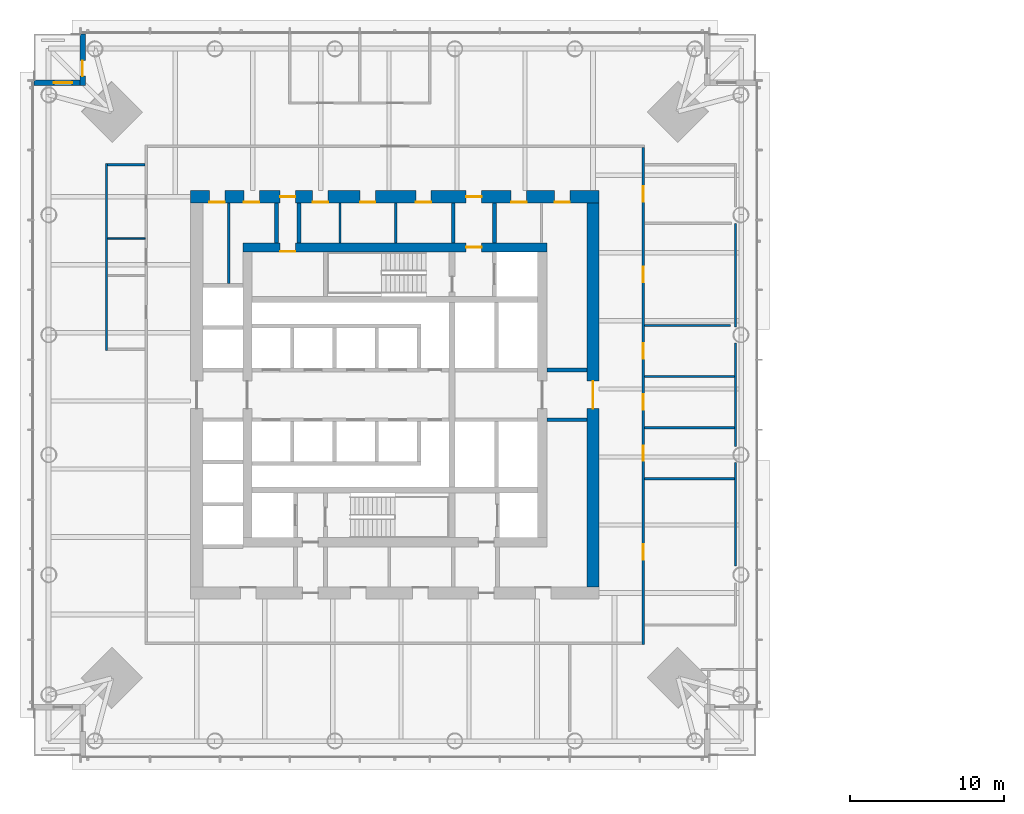
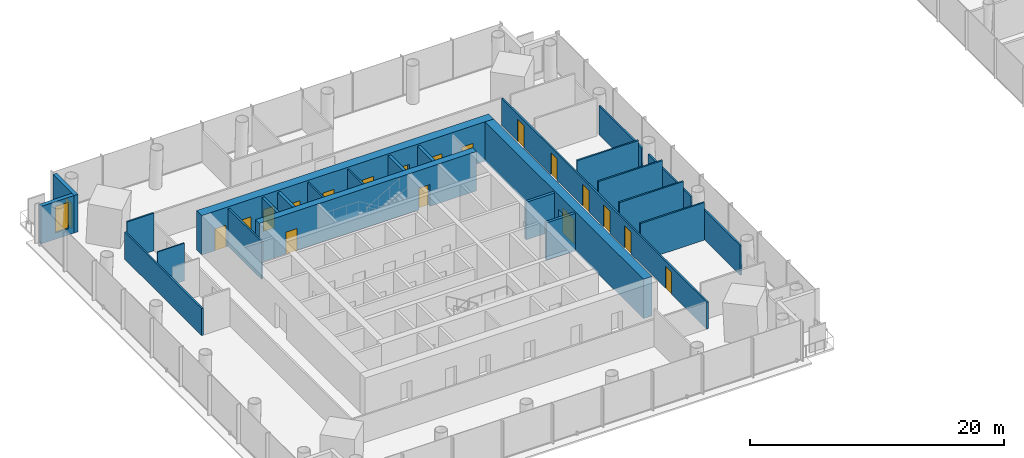
# One storey, part 11 of 26: 25 walls, 19 doors, 1 window, 20 openings.
"""IFC4 building model written with IfcOpenShell, lengths in metres."""

from ifc_helpers import new_model, si_unit, direction, frame, frame_2d, origin, place, context, subcontext, project, spatial, rectangle, extrude, material, layer, layer_set, type_object, element, fill, save


model = new_model("IFC4")

# Units and contexts
model_context = context("Model", 3, precision=1e-05, world=origin(), true_north=direction((0.0, 1.0)))
body_context = subcontext(model_context, "Body", "Model", "MODEL_VIEW")
ifc_project = project(units=[si_unit("LENGTHUNIT", "METRE"), si_unit("AREAUNIT", "SQUARE_METRE"), si_unit("VOLUMEUNIT", "CUBIC_METRE"), si_unit("PLANEANGLEUNIT", "RADIAN"), si_unit("MASSUNIT", "GRAM", prefix="KILO")], contexts=[model_context])

# Site, building, storey
site_placement = place(None, origin())
site = spatial("IfcSite", under=ifc_project, at=site_placement, CompositionType="ELEMENT")
building_placement = place(site_placement, origin())
building = spatial("IfcBuilding", under=site, at=building_placement, Name="Ostroluk Exchange", CompositionType="ELEMENT")
storey_placement = place(building_placement, frame((0.0, 0.0, 66.60009765625)))
storey = spatial("IfcBuildingStorey", under=building, at=storey_placement, Name="L16", CompositionType="ELEMENT", Elevation=66.60009765625)

# Walls
ifc_material_1 = material(Name="Concrete blockwork", Category="masonry")
ifc_layer_1 = layer(ifc_material_1, 0.10009765625)
ifc_layer_set_1 = layer_set([ifc_layer_1], Name="Blockwork WC wall 100")
wall_type_1 = type_object("IfcWallType", Name="Blockwork WC wall 100", PredefinedType="SOLIDWALL", material=ifc_layer_set_1)
wall_1_placement = place(storey_placement, frame((28.75, 56.175048828125, 0.0), z_axis=(0.0, 0.0, 1.0), x_axis=(-1.0, 0.0, 0.0)))
element("IfcWall", 1, at=wall_1_placement, inside=storey, type_object=wall_type_1, Name="Blockwork WC wall", PredefinedType="SOLIDWALL", context=body_context, shape_type="SweptSolid", body=[
    extrude(rectangle(XDim=2.449951171875, YDim=0.10009765625, at=frame_2d((1.22509765625, 0.0))), origin(), (0.0, 0.0, 1.0), 3.619873046875),
])
ifc_material_2 = material(Name="Concrete blockwork", Category="masonry")
ifc_layer_2 = layer(ifc_material_2, 0.14990234375)
ifc_layer_set_2 = layer_set([ifc_layer_2], Name="Blockwork plant room wall 150")
wall_type_2 = type_object("IfcWallType", Name="Blockwork plant room wall 150", PredefinedType="SOLIDWALL", material=ifc_layer_set_2)
wall_2_placement = place(storey_placement, frame((34.18310546875, 53.25, 0.0), z_axis=(0.0, 0.0, 1.0), x_axis=(0.0, 1.0, 0.0)))
element("IfcWall", 2, at=wall_2_placement, inside=storey, type_object=wall_type_2, Name="Core room wall", PredefinedType="SOLIDWALL", context=body_context, shape_type="SweptSolid", body=[
    extrude(rectangle(XDim=5.25, YDim=0.14990234375, at=frame_2d((2.625, 0.0))), origin(), (0.0, 0.0, 1.0), 3.619873046875),
])
for number, where, z_axis, x_axis, name in (
    (3, (41.42431640625, 55.89990234375, 0.0), (0.0, 0.0, 1.0), (0.0, 1.0, 0.0), "Core room wall"),
    (4, (45.05224609375, 55.89990234375, 0.0), (0.0, 0.0, 1.0), (0.0, 1.0, 0.0), "Core room wall"),
):
    element("IfcWall", number, at=place(storey_placement, frame(where, z_axis=z_axis, x_axis=x_axis)), inside=storey, type_object=wall_type_2, Name=name, PredefinedType="SOLIDWALL", context=body_context, shape_type="SweptSolid", body=[
        extrude(rectangle(XDim=2.60009765625, YDim=0.14990234375, at=frame_2d((1.300048828125, 0.0))), origin(), (0.0, 0.0, 1.0), 3.619873046875),
    ])
ifc_material_3 = material(Name="Concrete blockwork", Category="masonry")
ifc_layer_3 = layer(ifc_material_3, 0.25)
ifc_layer_set_3 = layer_set([ifc_layer_3], Name="Blockwork stair enclosure wall 250")
wall_type_3 = type_object("IfcWallType", Name="Blockwork stair enclosure wall 250", PredefinedType="SOLIDWALL", material=ifc_layer_set_3)
for number, where, z_axis, x_axis, name in (
    (5, (48.804931640625, 55.89990234375, 0.0), (0.0, 0.0, 1.0), (0.0, 1.0, 0.0), "Fire lobby enclosure wall"),
    (6, (51.47509765625, 55.89990234375, 0.0), (0.0, 0.0, 1.0), (0.0, 1.0, 0.0), "Fire lobby enclosure wall"),
    (7, (54.89990234375, 44.375, 0.0), (0.0, 0.0, 1.0), (1.0, 0.0, 0.0), "Lift lobby enclosure wall"),
    (8, (54.89990234375, 47.625, 0.0), (0.0, 0.0, 1.0), (1.0, 0.0, 0.0), "Lift lobby enclosure wall"),
    (9, (37.300048828125, 55.89990234375, 0.0), (0.0, 0.0, 1.0), (0.0, 1.0, 0.0), "Core corridor wall"),
    (10, (38.75, 55.89990234375, 0.0), (0.0, 0.0, 1.0), (0.0, 1.0, 0.0), "Core corridor wall"),
):
    element("IfcWall", number, at=place(storey_placement, frame(where, z_axis=z_axis, x_axis=x_axis)), inside=storey, type_object=wall_type_3, Name=name, PredefinedType="SOLIDWALL", context=body_context, shape_type="SweptSolid", body=[
        extrude(rectangle(XDim=2.60009765625, YDim=0.25, at=frame_2d((1.300048828125, 0.0))), origin(), (0.0, 0.0, 1.0), 3.619873046875),
    ])

# Wall, openings, doors
ifc_material_4 = material(Name="Concrete C50/60", Category="concrete")
ifc_layer_4 = layer(ifc_material_4, 0.60009765625)
ifc_layer_set_4 = layer_set([ifc_layer_4], Name="Core wall 600 C50/60")
wall_type_4 = type_object("IfcWallType", Name="Core wall 600 C50/60", PredefinedType="SHEAR", material=ifc_layer_set_4)
wall_3_placement = place(storey_placement, frame((35.10009765625, 55.60009765625, 0.0), z_axis=(0.0, 0.0, 1.0), x_axis=(1.0, 0.0, 0.0)))
wall_3 = element("IfcWall", 11, at=wall_3_placement, inside=storey, type_object=wall_type_4, Name="T1 core wall N", PredefinedType="SHEAR", context=body_context, shape_type="SweptSolid", body=[
    extrude(rectangle(XDim=19.7998046875, YDim=0.60009765625, at=frame_2d((9.89990234375, 0.0))), origin(), (0.0, 0.0, 1.0), 3.7998046875),
])
opening_1_placement = place(wall_3_placement, frame((14.5400390625, 0.0, 0.0)))
opening_1 = element("IfcOpeningElement", 12, at=opening_1_placement, cuts=wall_3, Name="Opening FD60", PredefinedType="OPENING", context=body_context, shape_type="SweptSolid", body=[
    extrude(rectangle(XDim=1.0, YDim=2.10009765625, at=frame_2d((0.5, 1.050048828125))), frame((0.0, 0.31005859375, 0.0), z_axis=(0.0, -1.0, 0.0), x_axis=(1.0, 0.0, 0.0)), (0.0, 0.0, 1.0), 0.6201171875),
])
opening_2_placement = place(wall_3_placement, frame((2.425048828125, 0.0, 0.0)))
opening_2 = element("IfcOpeningElement", 13, at=opening_2_placement, cuts=wall_3, Name="Opening FD60", PredefinedType="OPENING", context=body_context, shape_type="SweptSolid", body=[
    extrude(rectangle(XDim=1.0, YDim=2.10009765625, at=frame_2d((0.5, 1.050048828125))), frame((0.0, 0.31005859375, 0.0), z_axis=(0.0, -1.0, 0.0), x_axis=(1.0, 0.0, 0.0)), (0.0, 0.0, 1.0), 0.6201171875),
])
ifc_material_5 = material(Name="Steel", Category="steel")
door_type_1 = type_object("IfcDoorType", Name="Fire door EI 60 1000 x 2100", OperationType="SINGLE_SWING_LEFT", PredefinedType="DOOR", material=ifc_material_5)
door_1_placement = place(opening_1_placement, origin())
door_1 = element("IfcDoor", 14, at=door_1_placement, inside=storey, type_object=door_type_1, Name="Firefighting lobby door", OperationType="SINGLE_SWING_RIGHT", OverallHeight=2.10009765625, OverallWidth=1.0, PredefinedType="DOOR", context=body_context, shape_type="SweptSolid", body=[
    extrude(rectangle(XDim=1.0, YDim=2.10009765625, at=frame_2d((0.5, 1.050048828125))), frame((0.0, 0.02490234375, 0.0), z_axis=(0.0, -1.0, 0.0), x_axis=(1.0, 0.0, 0.0)), (0.0, 0.0, 1.0), 0.050048828125),
])
fill(opening_1, door_1)
door_2_placement = place(opening_2_placement, origin())
door_2 = element("IfcDoor", 15, at=door_2_placement, inside=storey, type_object=door_type_1, Name="Tea point door", OperationType="SINGLE_SWING_LEFT", OverallHeight=2.10009765625, OverallWidth=1.0, PredefinedType="DOOR", context=body_context, shape_type="SweptSolid", body=[
    extrude(rectangle(XDim=1.0, YDim=2.10009765625, at=frame_2d((0.5, 1.050048828125))), frame((0.0, -0.23974609375, 0.0), z_axis=(0.0, -1.0, 0.0), x_axis=(1.0, 0.0, 0.0)), (0.0, 0.0, 1.0), 0.050048828125),
])
fill(opening_2, door_2)

ifc_material_6 = material(Name="Concrete C50/60", Category="concrete")
ifc_layer_5 = layer(ifc_material_6, 0.800048828125)
ifc_layer_set_5 = layer_set([ifc_layer_5], Name="Core wall 800 C50/60")
wall_type_5 = type_object("IfcWallType", Name="Core wall 800 C50/60", PredefinedType="SHEAR", material=ifc_layer_set_5)
wall_4_placement = place(storey_placement, frame((31.699951171875, 58.89990234375, 0.0), z_axis=(0.0, 0.0, 1.0), x_axis=(1.0, 0.0, 0.0)))
wall_4 = element("IfcWall", 16, at=wall_4_placement, inside=storey, type_object=wall_type_5, Name="T1 core wall RN", PredefinedType="SHEAR", context=body_context, shape_type="SweptSolid", body=[
    extrude(rectangle(XDim=26.60009765625, YDim=0.800048828125, at=frame_2d((13.300048828125, 0.0))), origin(), (0.0, 0.0, 1.0), 3.7998046875),
])
opening_3_placement = place(wall_4_placement, frame((17.93994140625, 0.0, 0.0)))
opening_3 = element("IfcOpeningElement", 17, at=opening_3_placement, cuts=wall_4, Name="Opening FD60", PredefinedType="OPENING", context=body_context, shape_type="SweptSolid", body=[
    extrude(rectangle(XDim=1.0, YDim=2.10009765625, at=frame_2d((0.5, 1.050048828125))), frame((0.0, 0.409912109375, 0.0), z_axis=(0.0, -1.0, 0.0), x_axis=(1.0, 0.0, 0.0)), (0.0, 0.0, 1.0), 0.820068359375),
])
opening_4_placement = place(wall_4_placement, frame((5.824951171875, 0.0, 0.0)))
opening_4 = element("IfcOpeningElement", 18, at=opening_4_placement, cuts=wall_4, Name="Opening FD60", PredefinedType="OPENING", context=body_context, shape_type="SweptSolid", body=[
    extrude(rectangle(XDim=1.0, YDim=2.10009765625, at=frame_2d((0.5, 1.050048828125))), frame((0.0, 0.409912109375, 0.0), z_axis=(0.0, -1.0, 0.0), x_axis=(1.0, 0.0, 0.0)), (0.0, 0.0, 1.0), 0.820068359375),
])
opening_5_placement = place(wall_4_placement, frame((1.23291015625, 0.0, 0.0)))
opening_5 = element("IfcOpeningElement", 19, at=opening_5_placement, cuts=wall_4, Name="Opening FD60", PredefinedType="OPENING", context=body_context, shape_type="SweptSolid", body=[
    extrude(rectangle(XDim=1.0, YDim=2.10009765625, at=frame_2d((0.5, 1.050048828125))), frame((0.0, 0.409912109375, 0.0), z_axis=(0.0, -1.0, 0.0), x_axis=(1.0, 0.0, 0.0)), (0.0, 0.0, 1.0), 0.820068359375),
])
opening_6_placement = place(wall_4_placement, frame((3.47900390625, 0.0, 0.0)))
opening_6 = element("IfcOpeningElement", 20, at=opening_6_placement, cuts=wall_4, Name="Opening FD60", PredefinedType="OPENING", context=body_context, shape_type="SweptSolid", body=[
    extrude(rectangle(XDim=1.0, YDim=2.10009765625, at=frame_2d((0.5, 1.050048828125))), frame((0.0, 0.409912109375, 0.0), z_axis=(0.0, -1.0, 0.0), x_axis=(1.0, 0.0, 0.0)), (0.0, 0.0, 1.0), 0.820068359375),
])
opening_7_placement = place(wall_4_placement, frame((7.94970703125, 0.0, 0.0)))
opening_7 = element("IfcOpeningElement", 21, at=opening_7_placement, cuts=wall_4, Name="Opening FD60", PredefinedType="OPENING", context=body_context, shape_type="SweptSolid", body=[
    extrude(rectangle(XDim=1.0, YDim=2.10009765625, at=frame_2d((0.5, 1.050048828125))), frame((0.0, 0.409912109375, 0.0), z_axis=(0.0, -1.0, 0.0), x_axis=(1.0, 0.0, 0.0)), (0.0, 0.0, 1.0), 0.820068359375),
])
opening_8_placement = place(wall_4_placement, frame((11.038330078125, 0.0, 0.0)))
opening_8 = element("IfcOpeningElement", 22, at=opening_8_placement, cuts=wall_4, Name="Opening FD60", PredefinedType="OPENING", context=body_context, shape_type="SweptSolid", body=[
    extrude(rectangle(XDim=1.0, YDim=2.10009765625, at=frame_2d((0.5, 1.050048828125))), frame((0.0, 0.409912109375, 0.0), z_axis=(0.0, -1.0, 0.0), x_axis=(1.0, 0.0, 0.0)), (0.0, 0.0, 1.0), 0.820068359375),
])
opening_9_placement = place(wall_4_placement, frame((14.666015625, 0.0, 0.0)))
opening_9 = element("IfcOpeningElement", 23, at=opening_9_placement, cuts=wall_4, Name="Opening FD60", PredefinedType="OPENING", context=body_context, shape_type="SweptSolid", body=[
    extrude(rectangle(XDim=1.0, YDim=2.10009765625, at=frame_2d((0.5, 1.050048828125))), frame((0.0, 0.409912109375, 0.0), z_axis=(0.0, -1.0, 0.0), x_axis=(1.0, 0.0, 0.0)), (0.0, 0.0, 1.0), 0.820068359375),
])
opening_10_placement = place(wall_4_placement, frame((20.875, 0.0, 0.0)))
opening_10 = element("IfcOpeningElement", 24, at=opening_10_placement, cuts=wall_4, Name="Opening FD60", PredefinedType="OPENING", context=body_context, shape_type="SweptSolid", body=[
    extrude(rectangle(XDim=1.0, YDim=2.10009765625, at=frame_2d((0.5, 1.050048828125))), frame((0.0, 0.409912109375, 0.0), z_axis=(0.0, -1.0, 0.0), x_axis=(1.0, 0.0, 0.0)), (0.0, 0.0, 1.0), 0.820068359375),
])
opening_11_placement = place(wall_4_placement, frame((23.699951171875, 0.0, 0.0)))
opening_11 = element("IfcOpeningElement", 25, at=opening_11_placement, cuts=wall_4, Name="Opening FD60", PredefinedType="OPENING", context=body_context, shape_type="SweptSolid", body=[
    extrude(rectangle(XDim=1.0, YDim=2.10009765625, at=frame_2d((0.5, 1.050048828125))), frame((0.0, 0.409912109375, 0.0), z_axis=(0.0, -1.0, 0.0), x_axis=(1.0, 0.0, 0.0)), (0.0, 0.0, 1.0), 0.820068359375),
])
door_3_placement = place(opening_3_placement, origin())
door_3 = element("IfcDoor", 26, at=door_3_placement, inside=storey, type_object=door_type_1, Name="Firefighting lobby door", OperationType="SINGLE_SWING_RIGHT", OverallHeight=2.10009765625, OverallWidth=1.0, PredefinedType="DOOR", context=body_context, shape_type="SweptSolid", body=[
    extrude(rectangle(XDim=1.0, YDim=2.10009765625, at=frame_2d((0.5, 1.050048828125))), frame((0.0, 0.02490234375, 0.0), z_axis=(0.0, -1.0, 0.0), x_axis=(1.0, 0.0, 0.0)), (0.0, 0.0, 1.0), 0.050048828125),
])
fill(opening_3, door_3)
door_4_placement = place(opening_4_placement, origin())
door_4 = element("IfcDoor", 27, at=door_4_placement, inside=storey, type_object=door_type_1, Name="Core corridor door", OperationType="SINGLE_SWING_LEFT", OverallHeight=2.10009765625, OverallWidth=1.0, PredefinedType="DOOR", context=body_context, shape_type="SweptSolid", body=[
    extrude(rectangle(XDim=1.0, YDim=2.10009765625, at=frame_2d((0.5, 1.050048828125))), frame((0.0, 0.02490234375, 0.0), z_axis=(0.0, -1.0, 0.0), x_axis=(1.0, 0.0, 0.0)), (0.0, 0.0, 1.0), 0.050048828125),
])
fill(opening_4, door_4)
door_5_placement = place(opening_5_placement, origin())
door_5 = element("IfcDoor", 28, at=door_5_placement, inside=storey, type_object=door_type_1, Name="Tenant IT room door", OperationType="SINGLE_SWING_LEFT", OverallHeight=2.10009765625, OverallWidth=1.0, PredefinedType="DOOR", context=body_context, shape_type="SweptSolid", body=[
    extrude(rectangle(XDim=1.0, YDim=2.10009765625, at=frame_2d((0.5, 1.050048828125))), frame((0.0, -0.33984375, 0.0), z_axis=(0.0, -1.0, 0.0), x_axis=(1.0, 0.0, 0.0)), (0.0, 0.0, 1.0), 0.050048828125),
])
fill(opening_5, door_5)
door_6_placement = place(opening_6_placement, origin())
door_6 = element("IfcDoor", 29, at=door_6_placement, inside=storey, type_object=door_type_1, Name="First aid room door", OperationType="SINGLE_SWING_LEFT", OverallHeight=2.10009765625, OverallWidth=1.0, PredefinedType="DOOR", context=body_context, shape_type="SweptSolid", body=[
    extrude(rectangle(XDim=1.0, YDim=2.10009765625, at=frame_2d((0.5, 1.050048828125))), frame((0.0, -0.33984375, 0.0), z_axis=(0.0, -1.0, 0.0), x_axis=(1.0, 0.0, 0.0)), (0.0, 0.0, 1.0), 0.050048828125),
])
fill(opening_6, door_6)
door_7_placement = place(opening_7_placement, origin())
door_7 = element("IfcDoor", 30, at=door_7_placement, inside=storey, type_object=door_type_1, Name="Print and post room door", OperationType="SINGLE_SWING_LEFT", OverallHeight=2.10009765625, OverallWidth=1.0, PredefinedType="DOOR", context=body_context, shape_type="SweptSolid", body=[
    extrude(rectangle(XDim=1.0, YDim=2.10009765625, at=frame_2d((0.5, 1.050048828125))), frame((0.0, -0.33984375, 0.0), z_axis=(0.0, -1.0, 0.0), x_axis=(1.0, 0.0, 0.0)), (0.0, 0.0, 1.0), 0.050048828125),
])
fill(opening_7, door_7)
door_8_placement = place(opening_8_placement, origin())
door_8 = element("IfcDoor", 31, at=door_8_placement, inside=storey, type_object=door_type_1, Name="Archive door", OperationType="SINGLE_SWING_LEFT", OverallHeight=2.10009765625, OverallWidth=1.0, PredefinedType="DOOR", context=body_context, shape_type="SweptSolid", body=[
    extrude(rectangle(XDim=1.0, YDim=2.10009765625, at=frame_2d((0.5, 1.050048828125))), frame((0.0, -0.33984375, 0.0), z_axis=(0.0, -1.0, 0.0), x_axis=(1.0, 0.0, 0.0)), (0.0, 0.0, 1.0), 0.050048828125),
])
fill(opening_8, door_8)
door_9_placement = place(opening_9_placement, origin())
door_9 = element("IfcDoor", 32, at=door_9_placement, inside=storey, type_object=door_type_1, Name="Tenant IT room door", OperationType="SINGLE_SWING_RIGHT", OverallHeight=2.10009765625, OverallWidth=1.0, PredefinedType="DOOR", context=body_context, shape_type="SweptSolid", body=[
    extrude(rectangle(XDim=1.0, YDim=2.10009765625, at=frame_2d((0.5, 1.050048828125))), frame((0.0, -0.33984375, 0.0), z_axis=(0.0, -1.0, 0.0), x_axis=(1.0, 0.0, 0.0)), (0.0, 0.0, 1.0), 0.050048828125),
])
fill(opening_9, door_9)
door_10_placement = place(opening_10_placement, origin())
door_10 = element("IfcDoor", 33, at=door_10_placement, inside=storey, type_object=door_type_1, Name="First aid room door", OperationType="SINGLE_SWING_RIGHT", OverallHeight=2.10009765625, OverallWidth=1.0, PredefinedType="DOOR", context=body_context, shape_type="SweptSolid", body=[
    extrude(rectangle(XDim=1.0, YDim=2.10009765625, at=frame_2d((0.5, 1.050048828125))), frame((0.0, -0.33984375, 0.0), z_axis=(0.0, -1.0, 0.0), x_axis=(1.0, 0.0, 0.0)), (0.0, 0.0, 1.0), 0.050048828125),
])
fill(opening_10, door_10)
door_11_placement = place(opening_11_placement, origin())
door_11 = element("IfcDoor", 34, at=door_11_placement, inside=storey, type_object=door_type_1, Name="Tea point door", OperationType="SINGLE_SWING_RIGHT", OverallHeight=2.10009765625, OverallWidth=1.0, PredefinedType="DOOR", context=body_context, shape_type="SweptSolid", body=[
    extrude(rectangle(XDim=1.0, YDim=2.10009765625, at=frame_2d((0.5, 1.050048828125))), frame((0.0, -0.33984375, 0.0), z_axis=(0.0, -1.0, 0.0), x_axis=(1.0, 0.0, 0.0)), (0.0, 0.0, 1.0), 0.050048828125),
])
fill(opening_11, door_11)

# Wall, opening, door
wall_5_placement = place(storey_placement, frame((57.89990234375, 33.5, 0.0), z_axis=(0.0, 0.0, 1.0), x_axis=(0.0, 1.0, 0.0)))
wall_5 = element("IfcWall", 35, at=wall_5_placement, inside=storey, type_object=wall_type_5, Name="T1 core wall RE", PredefinedType="SHEAR", context=body_context, shape_type="SweptSolid", body=[
    extrude(rectangle(XDim=25.0, YDim=0.800048828125, at=frame_2d((12.5, 0.0))), origin(), (0.0, 0.0, 1.0), 3.7998046875),
])
opening_12_placement = place(wall_5_placement, frame((11.60009765625, 0.0, 0.0)))
opening_12 = element("IfcOpeningElement", 36, at=opening_12_placement, cuts=wall_5, Name="Opening FD30D", PredefinedType="OPENING", context=body_context, shape_type="SweptSolid", body=[
    extrude(rectangle(XDim=1.800048828125, YDim=2.39990234375, at=frame_2d((0.89990234375, 1.199951171875))), frame((0.0, 0.409912109375, 0.0), z_axis=(0.0, -1.0, 0.0), x_axis=(1.0, 0.0, 0.0)), (0.0, 0.0, 1.0), 0.820068359375),
])
ifc_material_7 = material(Name="Timber", Category="wood")
door_type_2 = type_object("IfcDoorType", Name="Lobby double door EI 30 1800 x 2400", OperationType="DOUBLE_DOOR_SINGLE_SWING", PredefinedType="DOOR", material=ifc_material_7)
door_12_placement = place(opening_12_placement, origin())
door_12 = element("IfcDoor", 37, at=door_12_placement, inside=storey, type_object=door_type_2, Name="Lift lobby doors", OperationType="DOUBLE_DOOR_SINGLE_SWING", OverallHeight=2.39990234375, OverallWidth=1.800048828125, PredefinedType="DOOR", context=body_context, shape_type="SweptSolid", body=[
    extrude(rectangle(XDim=1.800048828125, YDim=2.39990234375, at=frame_2d((0.89990234375, 1.199951171875))), frame((0.0, 0.02490234375, 0.0), z_axis=(0.0, -1.0, 0.0), x_axis=(1.0, 0.0, 0.0)), (0.0, 0.0, 1.0), 0.050048828125),
])
fill(opening_12, door_12)

ifc_material_8 = material(Name="Limestone", Category="masonry")
ifc_layer_6 = layer(ifc_material_8, 0.35009765625)
ifc_layer_set_6 = layer_set([ifc_layer_6], Name="Limestone facade wall 350")
wall_type_6 = type_object("IfcWallType", Name="Limestone facade wall 350", PredefinedType="SOLIDWALL", material=ifc_layer_set_6)
wall_6_placement = place(storey_placement, frame((24.675048828125, 69.5, 0.0), z_axis=(0.0, 0.0, 1.0), x_axis=(0.0, -1.0, 0.0)))
wall_6 = element("IfcWall", 38, at=wall_6_placement, inside=storey, type_object=wall_type_6, Name="Office tower NW corner wall L16 a", PredefinedType="SOLIDWALL", context=body_context, shape_type="SweptSolid", body=[
    extrude(rectangle(XDim=3.35009765625, YDim=0.35009765625, at=frame_2d((1.675048828125, 0.0))), origin(), (0.0, 0.0, 1.0), 3.619873046875),
])
opening_13_placement = place(wall_6_placement, frame((1.75, 0.0, 0.0)))
opening_13 = element("IfcOpeningElement", 39, at=opening_13_placement, cuts=wall_6, Name="Opening D-B1", PredefinedType="OPENING", context=body_context, shape_type="SweptSolid", body=[
    extrude(rectangle(XDim=1.0, YDim=2.39990234375, at=frame_2d((0.5, 1.199951171875))), frame((0.0, 0.18505859375, 0.0), z_axis=(0.0, -1.0, 0.0), x_axis=(1.0, 0.0, 0.0)), (0.0, 0.0, 1.0), 0.3701171875),
])
ifc_material_9 = material(Name="Bronze framed glazed door", Category="aluminium")
door_type_3 = type_object("IfcDoorType", Name="Balcony door 1000 x 2400", OperationType="SINGLE_SWING_LEFT", PredefinedType="DOOR", material=ifc_material_9)
door_13_placement = place(opening_13_placement, origin())
door_13 = element("IfcDoor", 40, at=door_13_placement, inside=storey, type_object=door_type_3, Name="Office tower NW balcony door L16", OperationType="SINGLE_SWING_RIGHT", OverallHeight=2.39990234375, OverallWidth=1.0, PredefinedType="DOOR", context=body_context, shape_type="SweptSolid", body=[
    extrude(rectangle(XDim=1.0, YDim=2.39990234375, at=frame_2d((0.5, 1.199951171875))), frame((0.0, 0.02490234375, 0.0), z_axis=(0.0, -1.0, 0.0), x_axis=(1.0, 0.0, 0.0)), (0.0, 0.0, 1.0), 0.050048828125),
])
fill(opening_13, door_13)

# Wall, opening, window
wall_7_placement = place(storey_placement, frame((24.5, 66.324951171875, 0.0), z_axis=(0.0, 0.0, 1.0), x_axis=(-1.0, 0.0, 0.0)))
wall_7 = element("IfcWall", 41, at=wall_7_placement, inside=storey, type_object=wall_type_6, Name="Office tower NW corner wall L16 b", PredefinedType="SOLIDWALL", context=body_context, shape_type="SweptSolid", body=[
    extrude(rectangle(XDim=3.0, YDim=0.35009765625, at=frame_2d((1.5, 0.0))), origin(), (0.0, 0.0, 1.0), 3.619873046875),
])
opening_14_placement = place(wall_7_placement, frame((0.5, 0.0, 0.60009765625)))
opening_14 = element("IfcOpeningElement", 42, at=opening_14_placement, cuts=wall_7, Name="Opening WN-L1", PredefinedType="OPENING", context=body_context, shape_type="SweptSolid", body=[
    extrude(rectangle(XDim=1.199951171875, YDim=2.550048828125, at=frame_2d((0.60009765625, 1.27490234375))), frame((0.0, 0.18505859375, 0.0), z_axis=(0.0, -1.0, 0.0), x_axis=(1.0, 0.0, 0.0)), (0.0, 0.0, 1.0), 0.3701171875),
])
ifc_material_10 = material(Name="Laminated clear glass", Category="glass")
window_type = type_object("IfcWindowType", Name="Lancet window 1200 x 2550", PartitioningType="SINGLE_PANEL", PredefinedType="WINDOW", material=ifc_material_10)
window_placement = place(opening_14_placement, origin())
window = element("IfcWindow", 43, at=window_placement, inside=storey, type_object=window_type, Name="Office tower NW lancet window L16", OverallHeight=2.550048828125, OverallWidth=1.199951171875, PartitioningType="SINGLE_PANEL", PredefinedType="WINDOW", context=body_context, shape_type="SweptSolid", body=[
    extrude(rectangle(XDim=1.199951171875, YDim=2.550048828125, at=frame_2d((0.60009765625, 1.27490234375))), frame((0.0, 0.030029296875, 0.0), z_axis=(0.0, -1.0, 0.0), x_axis=(1.0, 0.0, 0.0)), (0.0, 0.0, 1.0), 0.06005859375),
])
fill(opening_14, window)

# Walls
ifc_material_11 = material(Name="Gypsum plasterboard partition", Category="gypsum")
ifc_layer_7 = layer(ifc_material_11, 0.14990234375)
ifc_layer_set_7 = layer_set([ifc_layer_7], Name="Plasterboard partition 150")
wall_type_7 = type_object("IfcWallType", Name="Plasterboard partition 150", PredefinedType="PARTITIONING", material=ifc_layer_set_7)
for number, where, z_axis, x_axis, name in (
    (44, (61.25, 40.532958984375, 0.0), (0.0, 0.0, 1.0), (1.0, 0.0, 0.0), "Partition"),
    (45, (61.25, 43.860595703125, 0.0), (0.0, 0.0, 1.0), (1.0, 0.0, 0.0), "Partition"),
    (46, (61.25, 47.1884765625, 0.0), (0.0, 0.0, 1.0), (1.0, 0.0, 0.0), "Partition"),
):
    element("IfcWall", number, at=place(storey_placement, frame(where, z_axis=z_axis, x_axis=x_axis)), inside=storey, type_object=wall_type_7, Name=name, PredefinedType="PARTITIONING", context=body_context, shape_type="SweptSolid", body=[
        extrude(rectangle(XDim=5.85009765625, YDim=0.14990234375, at=frame_2d((2.925048828125, 0.0))), origin(), (0.0, 0.0, 1.0), 3.619873046875),
    ])
wall_8_placement = place(storey_placement, frame((61.25, 50.516357421875, 0.0), z_axis=(0.0, 0.0, 1.0), x_axis=(1.0, 0.0, 0.0)))
element("IfcWall", 47, at=wall_8_placement, inside=storey, type_object=wall_type_7, Name="Partition", PredefinedType="PARTITIONING", context=body_context, shape_type="SweptSolid", body=[
    extrude(rectangle(XDim=5.59912109375, YDim=0.14990234375, at=frame_2d((2.799560546875, 0.0))), origin(), (0.0, 0.0, 1.0), 3.619873046875),
])
wall_9_placement = place(storey_placement, frame((67.175048828125, 34.855224609375, 0.0), z_axis=(0.0, 0.0, 1.0), x_axis=(0.0, 1.0, 0.0)))
element("IfcWall", 48, at=wall_9_placement, inside=storey, type_object=wall_type_7, Name="Partition", PredefinedType="PARTITIONING", context=body_context, shape_type="SweptSolid", body=[
    extrude(rectangle(XDim=6.728271484375, YDim=0.14990234375, at=frame_2d((3.3642578125, 0.0))), origin(), (0.0, 0.0, 1.0), 2.849853515625),
])
wall_10_placement = place(storey_placement, frame((67.175048828125, 42.623779296875, 0.0), z_axis=(0.0, 0.0, 1.0), x_axis=(0.0, 1.0, 0.0)))
element("IfcWall", 49, at=wall_10_placement, inside=storey, type_object=wall_type_7, Name="Partition", PredefinedType="PARTITIONING", context=body_context, shape_type="SweptSolid", body=[
    extrude(rectangle(XDim=6.75244140625, YDim=0.14990234375, at=frame_2d((3.376220703125, 0.0))), origin(), (0.0, 0.0, 1.0), 2.849853515625),
])
wall_11_placement = place(storey_placement, frame((67.175048828125, 50.41650390625, 0.0), z_axis=(0.0, 0.0, 1.0), x_axis=(0.0, 1.0, 0.0)))
element("IfcWall", 50, at=wall_11_placement, inside=storey, type_object=wall_type_7, Name="Partition", PredefinedType="PARTITIONING", context=body_context, shape_type="SweptSolid", body=[
    extrude(rectangle(XDim=6.728271484375, YDim=0.14990234375, at=frame_2d((3.3642578125, 0.0))), origin(), (0.0, 0.0, 1.0), 2.805908203125),
])

# Wall, openings, doors
wall_12_placement = place(storey_placement, frame((61.175048828125, 29.75, 0.0), z_axis=(0.0, 0.0, 1.0), x_axis=(0.0, 1.0, 0.0)))
wall_12 = element("IfcWall", 51, at=wall_12_placement, inside=storey, type_object=wall_type_7, Name="Corridor wall", PredefinedType="PARTITIONING", context=body_context, shape_type="SweptSolid", body=[
    extrude(rectangle(XDim=32.35009765625, YDim=0.14990234375, at=frame_2d((16.175048828125, 0.0))), origin(), (0.0, 0.0, 1.0), 2.61181640625),
])
opening_15_placement = place(wall_12_placement, frame((5.529052734375, 0.0, 0.0)))
opening_15 = element("IfcOpeningElement", 52, at=opening_15_placement, cuts=wall_12, Name="Opening D-03", PredefinedType="OPENING", context=body_context, shape_type="SweptSolid", body=[
    extrude(rectangle(XDim=1.0, YDim=2.10009765625, at=frame_2d((0.5, 1.050048828125))), frame((0.0, 0.0849609375, 0.0), z_axis=(0.0, -1.0, 0.0), x_axis=(1.0, 0.0, 0.0)), (0.0, 0.0, 1.0), 0.169921875),
])
opening_16_placement = place(wall_12_placement, frame((11.94677734375, 0.0, 0.0)))
opening_16 = element("IfcOpeningElement", 53, at=opening_16_placement, cuts=wall_12, Name="Opening D-03", PredefinedType="OPENING", context=body_context, shape_type="SweptSolid", body=[
    extrude(rectangle(XDim=1.0, YDim=2.10009765625, at=frame_2d((0.5, 1.050048828125))), frame((0.0, 0.0849609375, 0.0), z_axis=(0.0, -1.0, 0.0), x_axis=(1.0, 0.0, 0.0)), (0.0, 0.0, 1.0), 0.169921875),
])
opening_17_placement = place(wall_12_placement, frame((15.274658203125, 0.0, 0.0)))
opening_17 = element("IfcOpeningElement", 54, at=opening_17_placement, cuts=wall_12, Name="Opening D-03", PredefinedType="OPENING", context=body_context, shape_type="SweptSolid", body=[
    extrude(rectangle(XDim=1.0, YDim=2.10009765625, at=frame_2d((0.5, 1.050048828125))), frame((0.0, 0.0849609375, 0.0), z_axis=(0.0, -1.0, 0.0), x_axis=(1.0, 0.0, 0.0)), (0.0, 0.0, 1.0), 0.169921875),
])
opening_18_placement = place(wall_12_placement, frame((18.602294921875, 0.0, 0.0)))
opening_18 = element("IfcOpeningElement", 55, at=opening_18_placement, cuts=wall_12, Name="Opening D-03", PredefinedType="OPENING", context=body_context, shape_type="SweptSolid", body=[
    extrude(rectangle(XDim=1.0, YDim=2.10009765625, at=frame_2d((0.5, 1.050048828125))), frame((0.0, 0.0849609375, 0.0), z_axis=(0.0, -1.0, 0.0), x_axis=(1.0, 0.0, 0.0)), (0.0, 0.0, 1.0), 0.169921875),
])
opening_19_placement = place(wall_12_placement, frame((23.593994140625, 0.0, 0.0)))
opening_19 = element("IfcOpeningElement", 56, at=opening_19_placement, cuts=wall_12, Name="Opening D-03", PredefinedType="OPENING", context=body_context, shape_type="SweptSolid", body=[
    extrude(rectangle(XDim=1.0, YDim=2.10009765625, at=frame_2d((0.5, 1.050048828125))), frame((0.0, 0.0849609375, 0.0), z_axis=(0.0, -1.0, 0.0), x_axis=(1.0, 0.0, 0.0)), (0.0, 0.0, 1.0), 0.169921875),
])
opening_20_placement = place(wall_12_placement, frame((28.823486328125, 0.0, 0.0)))
opening_20 = element("IfcOpeningElement", 57, at=opening_20_placement, cuts=wall_12, Name="Opening D-03", PredefinedType="OPENING", context=body_context, shape_type="SweptSolid", body=[
    extrude(rectangle(XDim=1.0, YDim=2.10009765625, at=frame_2d((0.5, 1.050048828125))), frame((0.0, 0.0849609375, 0.0), z_axis=(0.0, -1.0, 0.0), x_axis=(1.0, 0.0, 0.0)), (0.0, 0.0, 1.0), 0.169921875),
])
ifc_material_12 = material(Name="Timber", Category="wood")
door_type_4 = type_object("IfcDoorType", Name="Internal door 1000 x 2100", OperationType="SINGLE_SWING_LEFT", PredefinedType="DOOR", material=ifc_material_12)
door_14_placement = place(opening_15_placement, origin())
door_14 = element("IfcDoor", 58, at=door_14_placement, inside=storey, type_object=door_type_4, Name="Meeting room door", OperationType="SINGLE_SWING_LEFT", OverallHeight=2.10009765625, OverallWidth=1.0, PredefinedType="DOOR", context=body_context, shape_type="SweptSolid", body=[
    extrude(rectangle(XDim=1.0, YDim=2.10009765625, at=frame_2d((0.5, 1.050048828125))), frame((0.0, 0.02490234375, 0.0), z_axis=(0.0, -1.0, 0.0), x_axis=(1.0, 0.0, 0.0)), (0.0, 0.0, 1.0), 0.050048828125),
])
fill(opening_15, door_14)
door_15_placement = place(opening_16_placement, origin())
door_15 = element("IfcDoor", 59, at=door_15_placement, inside=storey, type_object=door_type_4, Name="Phone room door", OperationType="SINGLE_SWING_LEFT", OverallHeight=2.10009765625, OverallWidth=1.0, PredefinedType="DOOR", context=body_context, shape_type="SweptSolid", body=[
    extrude(rectangle(XDim=1.0, YDim=2.10009765625, at=frame_2d((0.5, 1.050048828125))), frame((0.0, 0.02490234375, 0.0), z_axis=(0.0, -1.0, 0.0), x_axis=(1.0, 0.0, 0.0)), (0.0, 0.0, 1.0), 0.050048828125),
])
fill(opening_16, door_15)
door_16_placement = place(opening_17_placement, origin())
door_16 = element("IfcDoor", 60, at=door_16_placement, inside=storey, type_object=door_type_4, Name="Phone room door", OperationType="SINGLE_SWING_LEFT", OverallHeight=2.10009765625, OverallWidth=1.0, PredefinedType="DOOR", context=body_context, shape_type="SweptSolid", body=[
    extrude(rectangle(XDim=1.0, YDim=2.10009765625, at=frame_2d((0.5, 1.050048828125))), frame((0.0, 0.02490234375, 0.0), z_axis=(0.0, -1.0, 0.0), x_axis=(1.0, 0.0, 0.0)), (0.0, 0.0, 1.0), 0.050048828125),
])
fill(opening_17, door_16)
door_17_placement = place(opening_18_placement, origin())
door_17 = element("IfcDoor", 61, at=door_17_placement, inside=storey, type_object=door_type_4, Name="Phone room door", OperationType="SINGLE_SWING_RIGHT", OverallHeight=2.10009765625, OverallWidth=1.0, PredefinedType="DOOR", context=body_context, shape_type="SweptSolid", body=[
    extrude(rectangle(XDim=1.0, YDim=2.10009765625, at=frame_2d((0.5, 1.050048828125))), frame((0.0, 0.02490234375, 0.0), z_axis=(0.0, -1.0, 0.0), x_axis=(1.0, 0.0, 0.0)), (0.0, 0.0, 1.0), 0.050048828125),
])
fill(opening_18, door_17)
door_18_placement = place(opening_19_placement, origin())
door_18 = element("IfcDoor", 62, at=door_18_placement, inside=storey, type_object=door_type_4, Name="Pantry door", OperationType="SINGLE_SWING_RIGHT", OverallHeight=2.10009765625, OverallWidth=1.0, PredefinedType="DOOR", context=body_context, shape_type="SweptSolid", body=[
    extrude(rectangle(XDim=1.0, YDim=2.10009765625, at=frame_2d((0.5, 1.050048828125))), frame((0.0, 0.02490234375, 0.0), z_axis=(0.0, -1.0, 0.0), x_axis=(1.0, 0.0, 0.0)), (0.0, 0.0, 1.0), 0.050048828125),
])
fill(opening_19, door_18)
door_19_placement = place(opening_20_placement, origin())
door_19 = element("IfcDoor", 63, at=door_19_placement, inside=storey, type_object=door_type_4, Name="Print and store room door", OperationType="SINGLE_SWING_RIGHT", OverallHeight=2.10009765625, OverallWidth=1.0, PredefinedType="DOOR", context=body_context, shape_type="SweptSolid", body=[
    extrude(rectangle(XDim=1.0, YDim=2.10009765625, at=frame_2d((0.5, 1.050048828125))), frame((0.0, 0.02490234375, 0.0), z_axis=(0.0, -1.0, 0.0), x_axis=(1.0, 0.0, 0.0)), (0.0, 0.0, 1.0), 0.050048828125),
])
fill(opening_20, door_19)

# Walls
ifc_material_13 = material(Name="Gypsum plasterboard partition, moisture resistant", Category="gypsum")
ifc_layer_8 = layer(ifc_material_13, 0.14990234375)
ifc_layer_set_8 = layer_set([ifc_layer_8], Name="Plasterboard toilet partition 150")
wall_type_8 = type_object("IfcWallType", Name="Plasterboard toilet partition 150", PredefinedType="PARTITIONING", material=ifc_layer_set_8)
wall_13_placement = place(storey_placement, frame((26.22509765625, 61.050048828125, 0.0), z_axis=(0.0, 0.0, 1.0), x_axis=(0.0, -1.0, 0.0)))
element("IfcWall", 64, at=wall_13_placement, inside=storey, type_object=wall_type_8, Name="Toilet partition", PredefinedType="PARTITIONING", context=body_context, shape_type="SweptSolid", body=[
    extrude(rectangle(XDim=12.150146484375, YDim=0.14990234375, at=frame_2d((6.0751953125, 0.0))), origin(), (0.0, 0.0, 1.0), 2.61181640625),
])
wall_14_placement = place(storey_placement, frame((28.75, 60.97509765625, 0.0), z_axis=(0.0, 0.0, 1.0), x_axis=(-1.0, 0.0, 0.0)))
element("IfcWall", 65, at=wall_14_placement, inside=storey, type_object=wall_type_8, Name="Toilet partition", PredefinedType="PARTITIONING", context=body_context, shape_type="SweptSolid", body=[
    extrude(rectangle(XDim=2.449951171875, YDim=0.14990234375, at=frame_2d((1.22509765625, 0.0))), origin(), (0.0, 0.0, 1.0), 3.619873046875),
])

save(model, "model.ifc")
